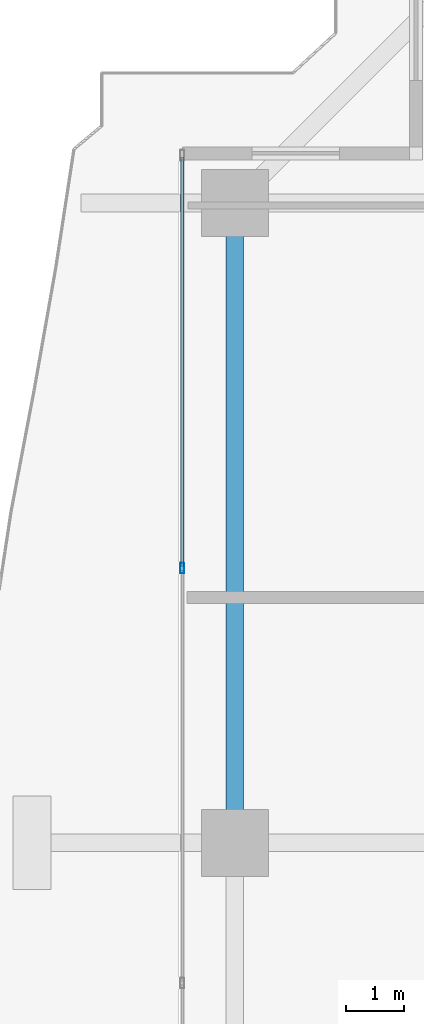
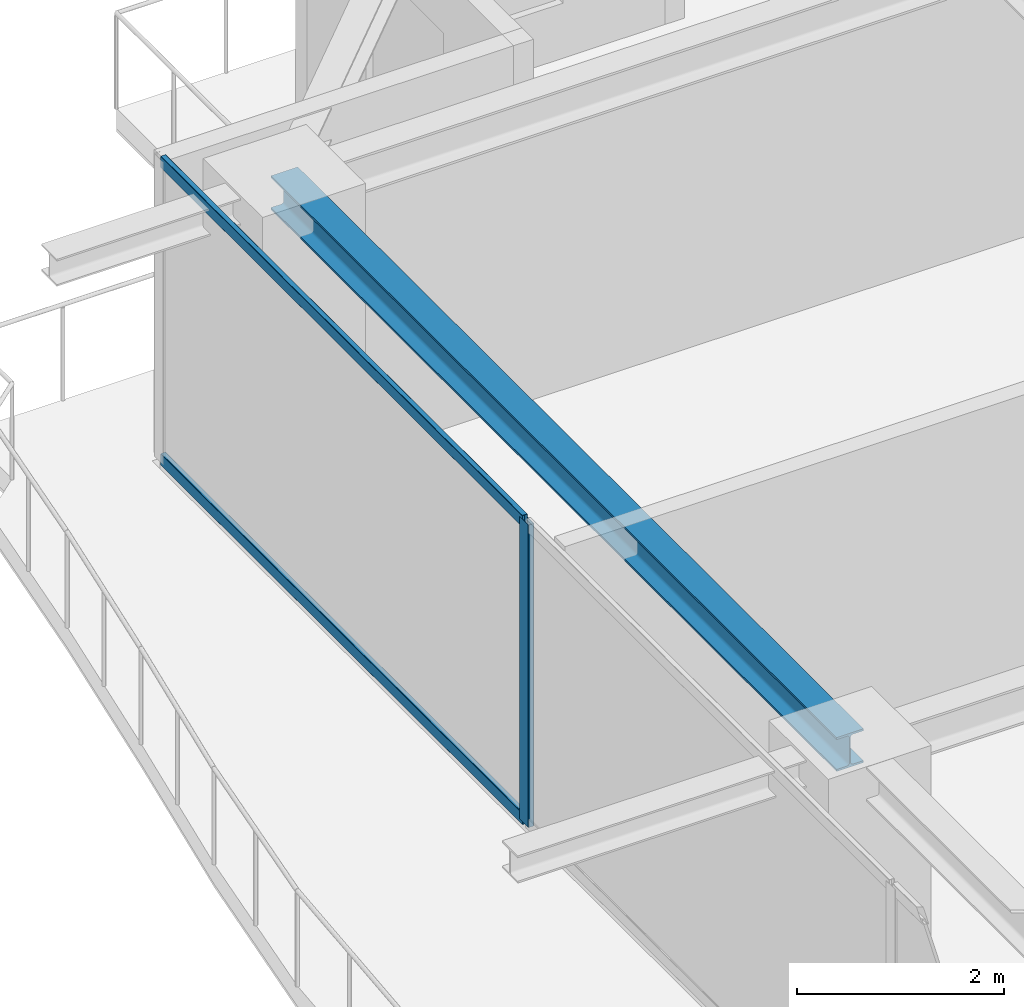
# One storey, part 17 of 39: 3 members, 1 beam, 1 element without a shape of its own.
"""IFC4 building model written with IfcOpenShell, lengths in metres."""

from ifc_helpers import new_model, si_unit, direction, frame, origin, origin_2d, place, context, subcontext, project, spatial, hollow_rectangle, i_section, extrude, source, transform, mapped, material, layer, layer_set, material_profile, profile_set, type_object, element, aggregate, save


model = new_model("IFC4")

# Units and contexts
model_context = context("Model", 3, precision=1e-05, world=origin(), true_north=direction((0.0, 1.0)))
body_context = subcontext(model_context, "Body", "Model", "MODEL_VIEW")
ifc_project = project(units=[si_unit("LENGTHUNIT", "METRE"), si_unit("AREAUNIT", "SQUARE_METRE"), si_unit("VOLUMEUNIT", "CUBIC_METRE"), si_unit("PLANEANGLEUNIT", "RADIAN"), si_unit("MASSUNIT", "GRAM", prefix="KILO")], contexts=[model_context])

# Site, building, storey
site_placement = place(None, origin())
site = spatial("IfcSite", under=ifc_project, at=site_placement, CompositionType="ELEMENT")
building_placement = place(site_placement, origin())
building = spatial("IfcBuilding", under=site, at=building_placement, Name="Serunith Strait Residences", CompositionType="ELEMENT")
storey_placement = place(building_placement, frame((0.0, 0.0, 222.0)))
storey = spatial("IfcBuildingStorey", under=building, at=storey_placement, Name="L55", CompositionType="ELEMENT", Elevation=222.0)

# Beam
ifc_material_1 = material(Name="Steel S355J2", Category="steel")
ifc_material_profile_1 = material_profile(ifc_material_1, i_section(OverallWidth=0.300048828125, OverallDepth=0.39990234375, WebThickness=0.013427734375, FlangeThickness=0.02392578125, FilletRadius=0.027099609375, at=origin_2d()), Name="HEB 400")
ifc_profile_set_1 = profile_set([ifc_material_profile_1], Name="Steel S355J2")
beam_type = type_object("IfcBeamType", Name="BM-HEB400", PredefinedType="BEAM", material=ifc_profile_set_1)
shared_shape_1 = source(origin(), body_context, "Body", "SweptSolid", [
    extrude(i_section(OverallWidth=0.300048828125, OverallDepth=0.39990234375, WebThickness=0.013427734375, FlangeThickness=0.02392578125, FilletRadius=0.027099609375, at=origin_2d()), origin(), (0.0, 0.0, 1.0), 10.9501953125),
])
beam_placement = place(storey_placement, frame((8.300048828125, 40.35009765625, 3.386962890625), z_axis=(0.0, -1.0, 0.0), x_axis=(1.0, 0.0, 0.0)))
element("IfcBeam", 1, at=beam_placement, inside=storey, type_object=beam_type, Name="L55 Perimeter Ring Beam 13", PredefinedType="BEAM", context=body_context, shape_type="MappedRepresentation", body=[
    mapped(shared_shape_1, transform((0.0, 0.0, 0.0), scale=1.0)),
])

# Curtain wall, members
ifc_material_2 = material(Name="Pale-Champagne Anodised Aluminium", Category="aluminium")
ifc_layer = layer(ifc_material_2, 0.199951171875, Name="Pale-Champagne Anodised Aluminium")
ifc_layer_set = layer_set([ifc_layer], Name="Pale-Champagne Anodised Aluminium")
curtain_wall_type = type_object("IfcCurtainWallType", Name="CW-SYS4", PredefinedType="NOTDEFINED", material=ifc_layer_set)
curtain_wall_placement = place(storey_placement, origin())
curtain_wall = element("IfcCurtainWall", 2, at=curtain_wall_placement, inside=storey, type_object=curtain_wall_type, Name="L55 W Unitised Fritted Curtain Wall", PredefinedType="NOTDEFINED")
ifc_material_profile_2 = material_profile(ifc_material_2, hollow_rectangle(XDim=0.06494140625, YDim=0.179931640625, WallThickness=0.00341796875, InnerFilletRadius=0.00537109375, OuterFilletRadius=0.0087890625, at=origin_2d()), Name="ALU 180x65x3.5")
ifc_profile_set_2 = profile_set([ifc_material_profile_2], Name="Pale-Champagne Anodised Aluminium")
member_type_1 = type_object("IfcMemberType", Name="CW-SYS4-MULL", PredefinedType="MULLION", material=ifc_profile_set_2)
shared_shape_2 = source(origin(), body_context, "Body", "SweptSolid", [
    extrude(hollow_rectangle(XDim=0.06494140625, YDim=0.179931640625, WallThickness=0.00341796875, InnerFilletRadius=0.00537109375, OuterFilletRadius=0.0087890625, at=origin_2d()), origin(), (0.0, 0.0, 1.0), 3.574951171875),
])
member_1_placement = place(storey_placement, frame((7.39990234375, 34.10009765625, 0.0), z_axis=(0.0, 0.0, 1.0), x_axis=(1.0, 0.0, 0.0)))
member_1 = element("IfcMember", 3, at=member_1_placement, type_object=member_type_1, Name="CW-4 mullion 2", PredefinedType="MULLION", context=body_context, shape_type="MappedRepresentation", body=[
    mapped(shared_shape_2, transform((0.0, 0.0, 0.0), scale=1.0)),
])
ifc_material_profile_3 = material_profile(ifc_material_2, hollow_rectangle(XDim=0.06005859375, YDim=0.139892578125, WallThickness=0.00341796875, InnerFilletRadius=0.00537109375, OuterFilletRadius=0.0087890625, at=origin_2d()), Name="ALU 140x60x3.5")
ifc_profile_set_3 = profile_set([ifc_material_profile_3], Name="Pale-Champagne Anodised Aluminium")
member_type_2 = type_object("IfcMemberType", Name="CW-SYS4-TRAN", PredefinedType="USERDEFINED", material=ifc_profile_set_3)
shared_shape_3 = source(origin(), body_context, "Body", "SweptSolid", [
    extrude(hollow_rectangle(XDim=0.06005859375, YDim=0.139892578125, WallThickness=0.00341796875, InnerFilletRadius=0.00537109375, OuterFilletRadius=0.0087890625, at=origin_2d()), origin(), (0.0, 0.0, 1.0), 7.00244140625),
])
member_2_placement = place(storey_placement, frame((7.39990234375, 41.135009765625, 0.030029296875), z_axis=(0.0, -1.0, 0.0), x_axis=(1.0, 0.0, 0.0)))
member_2 = element("IfcMember", 4, at=member_2_placement, type_object=member_type_2, Name="CW-4 transom 1.1", ObjectType="TRANSOM", PredefinedType="USERDEFINED", context=body_context, shape_type="MappedRepresentation", body=[
    mapped(shared_shape_3, transform((0.0, 0.0, 0.0), scale=1.0)),
])
member_3_placement = place(storey_placement, frame((7.39990234375, 41.135009765625, 3.544921875), z_axis=(0.0, -1.0, 0.0), x_axis=(1.0, 0.0, 0.0)))
member_3 = element("IfcMember", 5, at=member_3_placement, type_object=member_type_2, Name="CW-4 transom 1.2", ObjectType="TRANSOM", PredefinedType="USERDEFINED", context=body_context, shape_type="MappedRepresentation", body=[
    mapped(shared_shape_3, transform((0.0, 0.0, 0.0), scale=1.0)),
])
aggregate(curtain_wall, [member_1, member_2, member_3])

save(model, "model.ifc")
